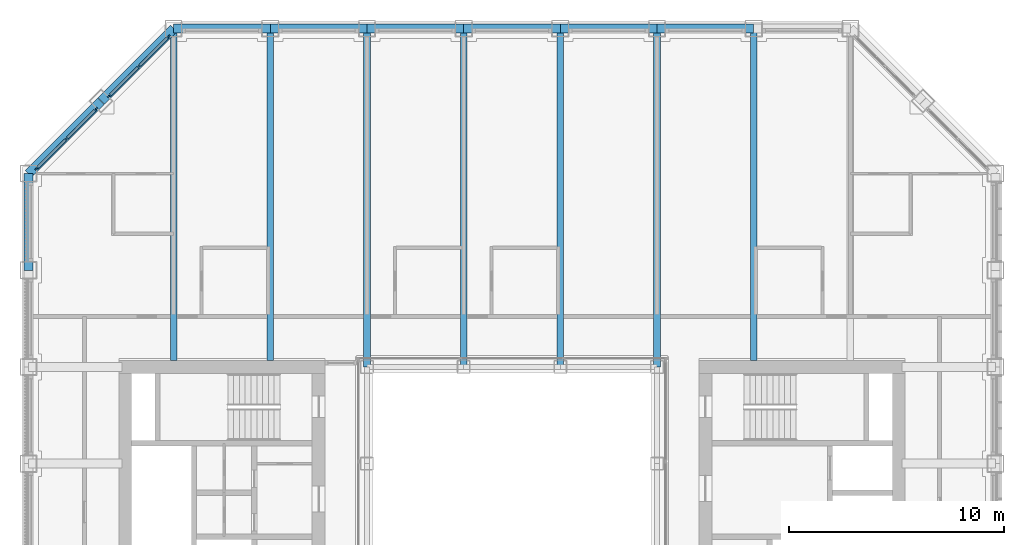
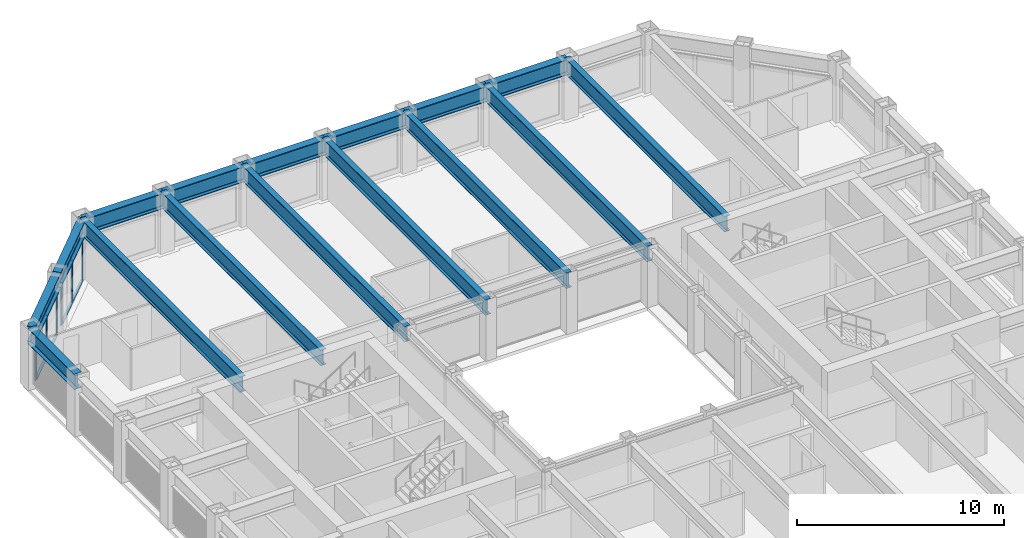
# One storey, part 7 of 17: 16 beams, 14 members, 2 elements without a shape of their own.
"""IFC4 building model written with IfcOpenShell, lengths in metres."""

from ifc_helpers import new_model, si_unit, direction, frame, origin, origin_2d, place, context, subcontext, project, spatial, rectangle, i_section, extrude, material, material_profile, profile_set, type_object, element, aggregate, save


model = new_model("IFC4")

# Units and contexts
model_context = context("Model", 3, precision=1e-05, world=origin(), true_north=direction((0.0, 1.0)))
body_context = subcontext(model_context, "Body", "Model", "MODEL_VIEW")
ifc_project = project(units=[si_unit("LENGTHUNIT", "METRE"), si_unit("AREAUNIT", "SQUARE_METRE"), si_unit("VOLUMEUNIT", "CUBIC_METRE"), si_unit("PLANEANGLEUNIT", "RADIAN"), si_unit("MASSUNIT", "GRAM", prefix="KILO")], contexts=[model_context])

# Site, building, storey
site_placement = place(None, origin())
site = spatial("IfcSite", under=ifc_project, at=site_placement, CompositionType="ELEMENT")
building_placement = place(site_placement, origin())
building = spatial("IfcBuilding", under=site, at=building_placement, Name="Msasa Ring Tower", CompositionType="ELEMENT")
storey_placement = place(building_placement, frame((0.0, 0.0, 165.199951171875)))
storey = spatial("IfcBuildingStorey", under=building, at=storey_placement, Name="L43", CompositionType="ELEMENT", Elevation=165.199951171875)

# Curtain wall, members
ifc_material_1 = material(Name="Aluminium curtain wall with clear glass", Category="aluminium")
curtain_wall_type = type_object("IfcCurtainWallType", Name="CW-C CHAMFER CORNER CURTAIN WALL", PredefinedType="NOTDEFINED", material=ifc_material_1)
curtain_wall_1_placement = place(storey_placement, origin())
curtain_wall_1 = element("IfcCurtainWall", 1, at=curtain_wall_1_placement, inside=storey, type_object=curtain_wall_type, Name="Chamfer corner curtain wall NW L43", PredefinedType="NOTDEFINED")
ifc_material_2 = material(Name="Aluminium mullion", Category="aluminium")
ifc_material_profile_1 = material_profile(ifc_material_2, rectangle(XDim=0.06494140625, YDim=0.179931640625, at=origin_2d()), Name="AL 65x180")
ifc_profile_set_1 = profile_set([ifc_material_profile_1], Name="Aluminium mullion")
member_type_1 = type_object("IfcMemberType", Name="CW-C MULLION 65x180", PredefinedType="MULLION", material=ifc_profile_set_1)
member_1_placement = place(storey_placement, frame((-19.36376953125, 18.744873046875, 0.0), z_axis=(0.0, 0.0, 1.0), x_axis=(0.707106781187, -0.707106781187, 0.0)))
member_1 = element("IfcMember", 2, at=member_1_placement, type_object=member_type_1, Name="CW-C mullion 1", PredefinedType="MULLION", context=body_context, shape_type="SweptSolid", body=[
    extrude(rectangle(XDim=0.06494140625, YDim=0.179931640625, at=origin_2d()), origin(), (0.0, 0.0, 1.0), 2.47900390625),
])
member_2_placement = place(storey_placement, frame((-20.74169921875, 17.36669921875, 0.0), z_axis=(0.0, 0.0, 1.0), x_axis=(0.707106781187, -0.707106781187, 0.0)))
member_2 = element("IfcMember", 3, at=member_2_placement, type_object=member_type_1, Name="CW-C mullion 2", PredefinedType="MULLION", context=body_context, shape_type="SweptSolid", body=[
    extrude(rectangle(XDim=0.06494140625, YDim=0.179931640625, at=origin_2d()), origin(), (0.0, 0.0, 1.0), 2.47900390625),
])
member_3_placement = place(storey_placement, frame((-22.119873046875, 15.98876953125, 0.0), z_axis=(0.0, 0.0, 1.0), x_axis=(0.707106781187, -0.707106781187, 0.0)))
member_3 = element("IfcMember", 4, at=member_3_placement, type_object=member_type_1, Name="CW-C mullion 3", PredefinedType="MULLION", context=body_context, shape_type="SweptSolid", body=[
    extrude(rectangle(XDim=0.06494140625, YDim=0.179931640625, at=origin_2d()), origin(), (0.0, 0.0, 1.0), 2.47900390625),
])

curtain_wall_2_placement = place(storey_placement, origin())
curtain_wall_2 = element("IfcCurtainWall", 5, at=curtain_wall_2_placement, inside=storey, type_object=curtain_wall_type, Name="Chamfer corner curtain wall NW L43", PredefinedType="NOTDEFINED")
member_4_placement = place(storey_placement, frame((-15.98876953125, 22.119873046875, 0.0), z_axis=(0.0, 0.0, 1.0), x_axis=(0.707106781187, -0.707106781187, 0.0)))
member_4 = element("IfcMember", 6, at=member_4_placement, type_object=member_type_1, Name="CW-C mullion 1", PredefinedType="MULLION", context=body_context, shape_type="SweptSolid", body=[
    extrude(rectangle(XDim=0.06494140625, YDim=0.179931640625, at=origin_2d()), origin(), (0.0, 0.0, 1.0), 2.47900390625),
])
member_5_placement = place(storey_placement, frame((-17.36669921875, 20.74169921875, 0.0), z_axis=(0.0, 0.0, 1.0), x_axis=(0.707106781187, -0.707106781187, 0.0)))
member_5 = element("IfcMember", 7, at=member_5_placement, type_object=member_type_1, Name="CW-C mullion 2", PredefinedType="MULLION", context=body_context, shape_type="SweptSolid", body=[
    extrude(rectangle(XDim=0.06494140625, YDim=0.179931640625, at=origin_2d()), origin(), (0.0, 0.0, 1.0), 2.47900390625),
])
member_6_placement = place(storey_placement, frame((-18.744873046875, 19.36376953125, 0.0), z_axis=(0.0, 0.0, 1.0), x_axis=(0.707106781187, -0.707106781187, 0.0)))
member_6 = element("IfcMember", 8, at=member_6_placement, type_object=member_type_1, Name="CW-C mullion 3", PredefinedType="MULLION", context=body_context, shape_type="SweptSolid", body=[
    extrude(rectangle(XDim=0.06494140625, YDim=0.179931640625, at=origin_2d()), origin(), (0.0, 0.0, 1.0), 2.47900390625),
])

# Member
ifc_material_3 = material(Name="Aluminium transom", Category="aluminium")
ifc_material_profile_2 = material_profile(ifc_material_3, rectangle(XDim=0.139892578125, YDim=0.06494140625, at=origin_2d()), Name="AL 65x140")
ifc_profile_set_2 = profile_set([ifc_material_profile_2], Name="Aluminium transom")
member_type_2 = type_object("IfcMemberType", Name="CW-C TRANSOM 65x140", PredefinedType="USERDEFINED", material=ifc_profile_set_2)
member_7_placement = place(storey_placement, frame((-19.38671875, 18.721923828125, 0.032470703125), z_axis=(-0.707106781187, -0.707106781187, 0.0), x_axis=(0.707106781187, -0.707106781187, 0.0)))
member_7 = element("IfcMember", 9, at=member_7_placement, type_object=member_type_2, Name="CW-C transom 1.1", ObjectType="TRANSOM", PredefinedType="USERDEFINED", context=body_context, shape_type="SweptSolid", body=[
    extrude(rectangle(XDim=0.139892578125, YDim=0.06494140625, at=origin_2d()), origin(), (0.0, 0.0, 1.0), 1.8837890625),
])

member_8_placement = place(storey_placement, frame((-19.38671875, 18.721923828125, 2.446533203125), z_axis=(-0.707106781187, -0.707106781187, 0.0), x_axis=(0.707106781187, -0.707106781187, 0.0)))
member_8 = element("IfcMember", 10, at=member_8_placement, type_object=member_type_2, Name="CW-C transom 1.2", ObjectType="TRANSOM", PredefinedType="USERDEFINED", context=body_context, shape_type="SweptSolid", body=[
    extrude(rectangle(XDim=0.139892578125, YDim=0.06494140625, at=origin_2d()), origin(), (0.0, 0.0, 1.0), 1.8837890625),
])

member_9_placement = place(storey_placement, frame((-20.764892578125, 17.34375, 0.032470703125), z_axis=(-0.707106781187, -0.707106781187, 0.0), x_axis=(0.707106781187, -0.707106781187, 0.0)))
member_9 = element("IfcMember", 11, at=member_9_placement, type_object=member_type_2, Name="CW-C transom 2.1", ObjectType="TRANSOM", PredefinedType="USERDEFINED", context=body_context, shape_type="SweptSolid", body=[
    extrude(rectangle(XDim=0.139892578125, YDim=0.06494140625, at=origin_2d()), origin(), (0.0, 0.0, 1.0), 1.8837890625),
])

member_10_placement = place(storey_placement, frame((-20.764892578125, 17.34375, 2.446533203125), z_axis=(-0.707106781187, -0.707106781187, 0.0), x_axis=(0.707106781187, -0.707106781187, 0.0)))
member_10 = element("IfcMember", 12, at=member_10_placement, type_object=member_type_2, Name="CW-C transom 2.2", ObjectType="TRANSOM", PredefinedType="USERDEFINED", context=body_context, shape_type="SweptSolid", body=[
    extrude(rectangle(XDim=0.139892578125, YDim=0.06494140625, at=origin_2d()), origin(), (0.0, 0.0, 1.0), 1.8837890625),
])

aggregate(curtain_wall_1, [member_1, member_2, member_3, member_7, member_8, member_9, member_10])

member_11_placement = place(storey_placement, frame((-16.01171875, 22.096923828125, 0.032470703125), z_axis=(-0.707106781187, -0.707106781187, 0.0), x_axis=(0.707106781187, -0.707106781187, 0.0)))
member_11 = element("IfcMember", 13, at=member_11_placement, type_object=member_type_2, Name="CW-C transom 1.1", ObjectType="TRANSOM", PredefinedType="USERDEFINED", context=body_context, shape_type="SweptSolid", body=[
    extrude(rectangle(XDim=0.139892578125, YDim=0.06494140625, at=origin_2d()), origin(), (0.0, 0.0, 1.0), 1.8837890625),
])

member_12_placement = place(storey_placement, frame((-16.01171875, 22.096923828125, 2.446533203125), z_axis=(-0.707106781187, -0.707106781187, 0.0), x_axis=(0.707106781187, -0.707106781187, 0.0)))
member_12 = element("IfcMember", 14, at=member_12_placement, type_object=member_type_2, Name="CW-C transom 1.2", ObjectType="TRANSOM", PredefinedType="USERDEFINED", context=body_context, shape_type="SweptSolid", body=[
    extrude(rectangle(XDim=0.139892578125, YDim=0.06494140625, at=origin_2d()), origin(), (0.0, 0.0, 1.0), 1.8837890625),
])

member_13_placement = place(storey_placement, frame((-17.389892578125, 20.71875, 0.032470703125), z_axis=(-0.707106781187, -0.707106781187, 0.0), x_axis=(0.707106781187, -0.707106781187, 0.0)))
member_13 = element("IfcMember", 15, at=member_13_placement, type_object=member_type_2, Name="CW-C transom 2.1", ObjectType="TRANSOM", PredefinedType="USERDEFINED", context=body_context, shape_type="SweptSolid", body=[
    extrude(rectangle(XDim=0.139892578125, YDim=0.06494140625, at=origin_2d()), origin(), (0.0, 0.0, 1.0), 1.8837890625),
])

member_14_placement = place(storey_placement, frame((-17.389892578125, 20.71875, 2.446533203125), z_axis=(-0.707106781187, -0.707106781187, 0.0), x_axis=(0.707106781187, -0.707106781187, 0.0)))
member_14 = element("IfcMember", 16, at=member_14_placement, type_object=member_type_2, Name="CW-C transom 2.2", ObjectType="TRANSOM", PredefinedType="USERDEFINED", context=body_context, shape_type="SweptSolid", body=[
    extrude(rectangle(XDim=0.139892578125, YDim=0.06494140625, at=origin_2d()), origin(), (0.0, 0.0, 1.0), 1.8837890625),
])

aggregate(curtain_wall_2, [member_4, member_5, member_6, member_11, member_12, member_13, member_14])

# Beams
ifc_material_4 = material(Name="Steel S355", Category="steel")
ifc_material_profile_3 = material_profile(ifc_material_4, i_section(OverallWidth=0.3076171875, OverallDepth=0.926513671875, WebThickness=0.01953125, FlangeThickness=0.031982421875, FilletRadius=0.01904296875, at=origin_2d()), Name="UB 914x305x289")
ifc_profile_set_3 = profile_set([ifc_material_profile_3], Name="Steel S355")
beam_type_1 = type_object("IfcBeamType", Name="FB3 UB 914x305x289", PredefinedType="BEAM", material=ifc_profile_set_3)
for number, where, z_axis, x_axis, name in (
    (17, (-15.75, 22.5, 2.936767578125), (0.0, -1.0, 0.0), (1.0, 0.0, 0.0), "Floor beam N-15.75 under L44"),
    (18, (-11.25, 22.5, 2.936767578125), (0.0, -1.0, 0.0), (1.0, 0.0, 0.0), "Floor beam N-11.25 under L44"),
):
    element("IfcBeam", number, at=place(storey_placement, frame(where, z_axis=z_axis, x_axis=x_axis)), inside=storey, type_object=beam_type_1, Name=name, PredefinedType="BEAM", context=body_context, shape_type="SweptSolid", body=[
        extrude(i_section(OverallWidth=0.3076171875, OverallDepth=0.926513671875, WebThickness=0.01953125, FlangeThickness=0.031982421875, FilletRadius=0.01904296875, at=origin_2d()), origin(), (0.0, 0.0, 1.0), 15.449951171875),
    ])
for number, where, z_axis, x_axis, name in (
    (19, (-6.75, 22.5, 2.936767578125), (0.0, -1.0, 0.0), (1.0, 0.0, 0.0), "Floor beam N-6.75 under L44"),
    (20, (-2.25, 22.5, 2.936767578125), (0.0, -1.0, 0.0), (1.0, 0.0, 0.0), "Floor beam N-2.25 under L44"),
    (21, (2.25, 22.5, 2.936767578125), (0.0, -1.0, 0.0), (1.0, 0.0, 0.0), "Floor beam N+2.25 under L44"),
    (22, (6.75, 22.5, 2.936767578125), (0.0, -1.0, 0.0), (1.0, 0.0, 0.0), "Floor beam N+6.75 under L44"),
):
    element("IfcBeam", number, at=place(storey_placement, frame(where, z_axis=z_axis, x_axis=x_axis)), inside=storey, type_object=beam_type_1, Name=name, PredefinedType="BEAM", context=body_context, shape_type="SweptSolid", body=[
        extrude(i_section(OverallWidth=0.3076171875, OverallDepth=0.926513671875, WebThickness=0.01953125, FlangeThickness=0.031982421875, FilletRadius=0.01904296875, at=origin_2d()), origin(), (0.0, 0.0, 1.0), 15.75),
    ])
beam_1_placement = place(storey_placement, frame((11.25, 22.5, 2.936767578125), z_axis=(0.0, -1.0, 0.0), x_axis=(1.0, 0.0, 0.0)))
element("IfcBeam", 23, at=beam_1_placement, inside=storey, type_object=beam_type_1, Name="Floor beam N+11.25 under L44", PredefinedType="BEAM", context=body_context, shape_type="SweptSolid", body=[
    extrude(i_section(OverallWidth=0.3076171875, OverallDepth=0.926513671875, WebThickness=0.01953125, FlangeThickness=0.031982421875, FilletRadius=0.01904296875, at=origin_2d()), origin(), (0.0, 0.0, 1.0), 15.449951171875),
])
ifc_material_5 = material(Name="Steel S355", Category="steel")
ifc_material_profile_4 = material_profile(ifc_material_5, i_section(OverallWidth=0.42041015625, OverallDepth=0.9208984375, WebThickness=0.021484375, FlangeThickness=0.03662109375, FilletRadius=0.024169921875, at=origin_2d()), Name="UB 914x419x388")
ifc_profile_set_4 = profile_set([ifc_material_profile_4], Name="Steel S355")
beam_type_2 = type_object("IfcBeamType", Name="SB1 UB 914x419x388", PredefinedType="SPANDREL", material=ifc_profile_set_4)
for number, where, z_axis, x_axis, name in (
    (24, (11.25, 22.5, 2.939453125), (-1.0, 0.0, 0.0), (0.0, -1.0, 0.0), "Spandrel N+11.25 to N+6.75 under L44"),
    (25, (6.75, 22.5, 2.939453125), (-1.0, 0.0, 0.0), (0.0, -1.0, 0.0), "Spandrel N+6.75 to N+2.25 under L44"),
    (26, (2.25, 22.5, 2.939453125), (-1.0, 0.0, 0.0), (0.0, -1.0, 0.0), "Spandrel N+2.25 to N-2.25 under L44"),
    (27, (-2.25, 22.5, 2.939453125), (-1.0, 0.0, 0.0), (0.0, -1.0, 0.0), "Spandrel N-2.25 to N-6.75 under L44"),
    (28, (-6.75, 22.5, 2.939453125), (-1.0, 0.0, 0.0), (0.0, -1.0, 0.0), "Spandrel N-6.75 to N-11.25 under L44"),
    (29, (-11.25, 22.5, 2.939453125), (-1.0, 0.0, 0.0), (0.0, -1.0, 0.0), "Spandrel N-11.25 to N-15.75 under L44"),
):
    element("IfcBeam", number, at=place(storey_placement, frame(where, z_axis=z_axis, x_axis=x_axis)), inside=storey, type_object=beam_type_2, Name=name, PredefinedType="SPANDREL", context=body_context, shape_type="SweptSolid", body=[
        extrude(i_section(OverallWidth=0.42041015625, OverallDepth=0.9208984375, WebThickness=0.021484375, FlangeThickness=0.03662109375, FilletRadius=0.024169921875, at=origin_2d()), origin(), (0.0, 0.0, 1.0), 4.5),
    ])
for number, where, z_axis, x_axis, name in (
    (30, (-15.75, 22.5, 2.939453125), (-0.707106781187, -0.707106781187, 0.0), (0.707106781187, -0.707106781187, 0.0), "Spandrel N-15.75 to NW under L44"),
    (31, (-19.125, 19.125, 2.939453125), (-0.707106781187, -0.707106781187, 0.0), (0.707106781187, -0.707106781187, 0.0), "Spandrel NW to W+15.75 under L44"),
):
    element("IfcBeam", number, at=place(storey_placement, frame(where, z_axis=z_axis, x_axis=x_axis)), inside=storey, type_object=beam_type_2, Name=name, PredefinedType="SPANDREL", context=body_context, shape_type="SweptSolid", body=[
        extrude(i_section(OverallWidth=0.42041015625, OverallDepth=0.9208984375, WebThickness=0.021484375, FlangeThickness=0.03662109375, FilletRadius=0.024169921875, at=origin_2d()), origin(), (0.0, 0.0, 1.0), 4.77294921875),
    ])
beam_2_placement = place(storey_placement, frame((-22.5, 15.75, 2.939453125), z_axis=(0.0, -1.0, 0.0), x_axis=(1.0, 0.0, 0.0)))
element("IfcBeam", 32, at=beam_2_placement, inside=storey, type_object=beam_type_2, Name="Spandrel W+15.75 to W+11.25 under L44", PredefinedType="SPANDREL", context=body_context, shape_type="SweptSolid", body=[
    extrude(i_section(OverallWidth=0.42041015625, OverallDepth=0.9208984375, WebThickness=0.021484375, FlangeThickness=0.03662109375, FilletRadius=0.024169921875, at=origin_2d()), origin(), (0.0, 0.0, 1.0), 4.5),
])

save(model, "model.ifc")
